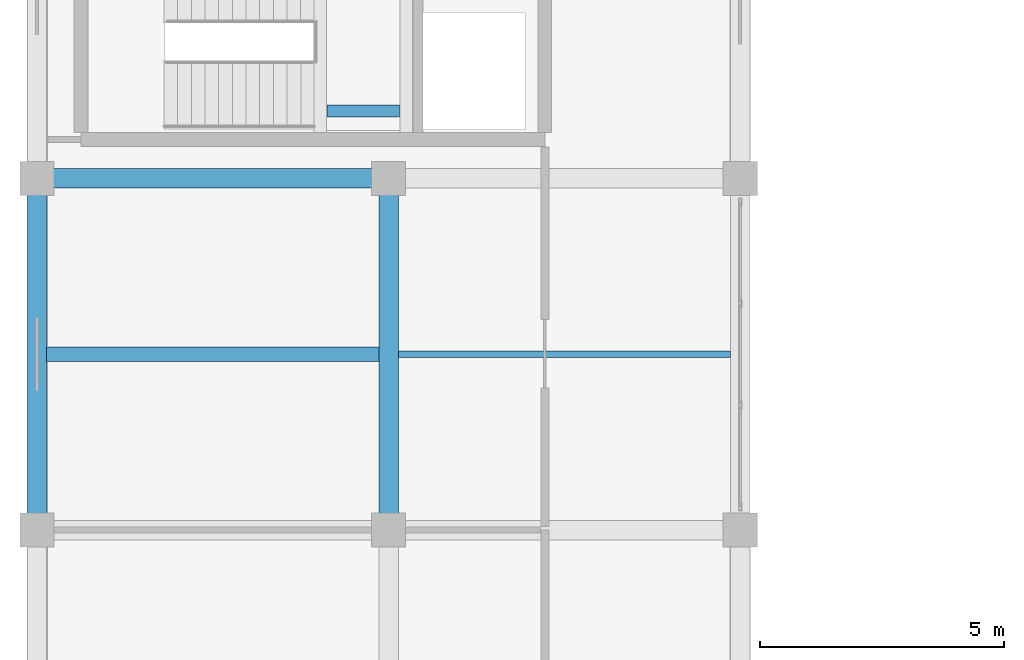
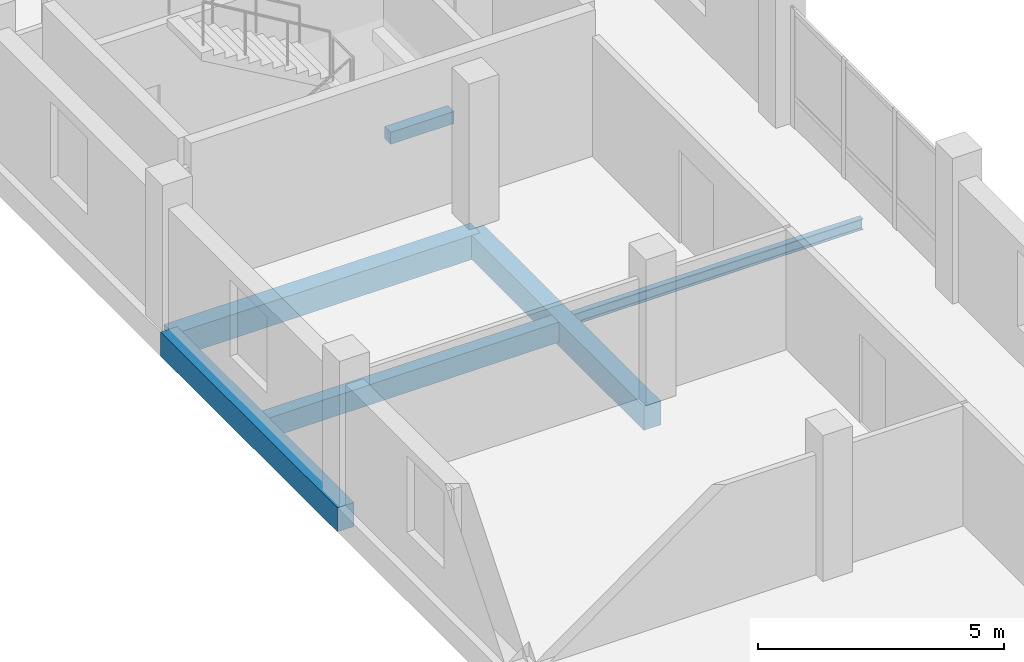
# One storey, part 24 of 128: 6 beams.
"""IFC4 building model written with IfcOpenShell, lengths in metres."""

from ifc_helpers import new_model, si_unit, direction, frame, origin, origin_2d, place, context, subcontext, project, spatial, rectangle, i_section, extrude, material, material_profile, profile_set, type_object, element, save


model = new_model("IFC4")

# Units and contexts
model_context = context("Model", 3, precision=1e-05, world=origin(), true_north=direction((0.0, 1.0)))
body_context = subcontext(model_context, "Body", "Model", "MODEL_VIEW")
ifc_project = project(units=[si_unit("LENGTHUNIT", "METRE"), si_unit("AREAUNIT", "SQUARE_METRE"), si_unit("VOLUMEUNIT", "CUBIC_METRE"), si_unit("PLANEANGLEUNIT", "RADIAN"), si_unit("MASSUNIT", "GRAM", prefix="KILO")], contexts=[model_context])

# Site, building, storey
site_placement = place(None, origin())
site = spatial("IfcSite", under=ifc_project, at=site_placement, CompositionType="ELEMENT")
building_placement = place(site_placement, origin())
building = spatial("IfcBuilding", under=site, at=building_placement, Name="Zornivar Specialist Clinic", CompositionType="ELEMENT")
storey_placement = place(building_placement, frame((0.0, 0.0, 4.5)))
storey = spatial("IfcBuildingStorey", under=building, at=storey_placement, Name="L01", CompositionType="ELEMENT", Elevation=4.5)

# Beams
ifc_material_1 = material(Name="Concrete C30/37", Category="concrete")
ifc_material_profile_1 = material_profile(ifc_material_1, rectangle(XDim=0.25, YDim=0.300048828125, at=origin_2d()), Name="RC 250x300")
ifc_profile_set_1 = profile_set([ifc_material_profile_1], Name="Concrete C30/37")
beam_type_1 = type_object("IfcBeamType", Name="BM-LAND-250x300", PredefinedType="BEAM", material=ifc_profile_set_1)
beam_1_placement = place(storey_placement, frame((5.93505859375, 37.3798828125, 1.6201171875), z_axis=(1.0, 0.0, 0.0), x_axis=(0.0, 1.0, 0.0)))
element("IfcBeam", 1, at=beam_1_placement, inside=storey, type_object=beam_type_1, Name="bm:stair:C2:L01:lS", PredefinedType="BEAM", context=body_context, shape_type="SweptSolid", body=[
    extrude(rectangle(XDim=0.25, YDim=0.300048828125, at=origin_2d()), origin(), (0.0, 0.0, 1.0), 1.489990234375),
])
ifc_material_2 = material(Name="Concrete C30/37", Category="concrete")
ifc_material_profile_2 = material_profile(ifc_material_2, rectangle(XDim=0.39990234375, YDim=0.60009765625, at=origin_2d()), Name="RC 400x600")
ifc_profile_set_2 = profile_set([ifc_material_profile_2], Name="Concrete C30/37")
beam_type_2 = type_object("IfcBeamType", Name="BM-RC-400x600", PredefinedType="BEAM", material=ifc_profile_set_2)
for number, where, z_axis, x_axis, name in (
    (2, (0.0, 36.0, -0.580078125), (1.0, 0.0, 0.0), (0.0, 1.0, 0.0), "bm:V2:L01:x:360:0"),
    (3, (7.199951171875, 28.800048828125, -0.580078125), (0.0, 1.0, 0.0), (-1.0, 0.0, 0.0), "bm:V2:L01:y:72:4"),
):
    element("IfcBeam", number, at=place(storey_placement, frame(where, z_axis=z_axis, x_axis=x_axis)), inside=storey, type_object=beam_type_2, Name=name, PredefinedType="BEAM", context=body_context, shape_type="SweptSolid", body=[
        extrude(rectangle(XDim=0.39990234375, YDim=0.60009765625, at=origin_2d()), origin(), (0.0, 0.0, 1.0), 7.199951171875),
    ])
ifc_material_3 = material(Name="Concrete C30/37", Category="concrete")
ifc_material_profile_3 = material_profile(ifc_material_3, rectangle(XDim=0.389892578125, YDim=0.60009765625, at=origin_2d()), Name="RC 390x600")
ifc_profile_set_3 = profile_set([ifc_material_profile_3], Name="Concrete C30/37")
beam_type_3 = type_object("IfcBeamType", Name="BM-RC-SPANDREL-390x600", PredefinedType="SPANDREL", material=ifc_profile_set_3)
beam_2_placement = place(storey_placement, frame((0.0, 28.800048828125, -0.580078125), z_axis=(0.0, 1.0, 0.0), x_axis=(-1.0, 0.0, 0.0)))
element("IfcBeam", 4, at=beam_2_placement, inside=storey, type_object=beam_type_3, Name="bm:V2:L01:y:0:4", PredefinedType="SPANDREL", context=body_context, shape_type="SweptSolid", body=[
    extrude(rectangle(XDim=0.389892578125, YDim=0.60009765625, at=origin_2d()), origin(), (0.0, 0.0, 1.0), 7.199951171875),
])
ifc_material_4 = material(Name="Concrete C30/37", Category="concrete")
ifc_material_profile_4 = material_profile(ifc_material_4, rectangle(XDim=0.300048828125, YDim=0.5, at=origin_2d()), Name="RC 300x500")
ifc_profile_set_4 = profile_set([ifc_material_profile_4], Name="Concrete C30/37")
beam_type_4 = type_object("IfcBeamType", Name="BM-RC-TRIM-300x500", PredefinedType="BEAM", material=ifc_profile_set_4)
beam_3_placement = place(storey_placement, frame((0.195068359375, 32.39990234375, -0.530029296875), z_axis=(1.0, 0.0, 0.0), x_axis=(0.0, 1.0, 0.0)))
element("IfcBeam", 5, at=beam_3_placement, inside=storey, type_object=beam_type_4, Name="bm:trim:V2:L01:3", PredefinedType="BEAM", context=body_context, shape_type="SweptSolid", body=[
    extrude(rectangle(XDim=0.300048828125, YDim=0.5, at=origin_2d()), origin(), (0.0, 0.0, 1.0), 6.804931640625),
])
ifc_material_5 = material(Name="Steel S355J2", Category="steel")
ifc_material_profile_5 = material_profile(ifc_material_5, i_section(OverallWidth=0.135009765625, OverallDepth=0.27001953125, WebThickness=0.006591796875, FlangeThickness=0.01025390625, FilletRadius=0.014892578125, at=origin_2d()), Name="IPE 270")
ifc_profile_set_5 = profile_set([ifc_material_profile_5], Name="Steel S355J2")
beam_type_5 = type_object("IfcBeamType", Name="BM-STL-IPE270", PredefinedType="JOIST", material=ifc_profile_set_5)
beam_4_placement = place(storey_placement, frame((7.39990234375, 32.39990234375, -0.4150390625), z_axis=(1.0, 0.0, 0.0), x_axis=(0.0, 1.0, 0.0)))
element("IfcBeam", 6, at=beam_4_placement, inside=storey, type_object=beam_type_5, Name="bm:V2:L01:joist:2", PredefinedType="JOIST", context=body_context, shape_type="SweptSolid", body=[
    extrude(i_section(OverallWidth=0.135009765625, OverallDepth=0.27001953125, WebThickness=0.006591796875, FlangeThickness=0.01025390625, FilletRadius=0.014892578125, at=origin_2d()), origin(), (0.0, 0.0, 1.0), 6.800048828125),
])

save(model, "model.ifc")
